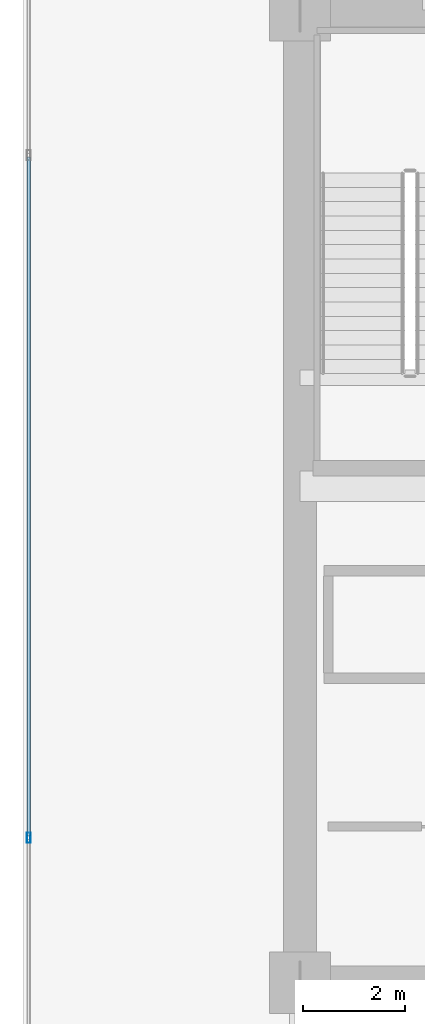
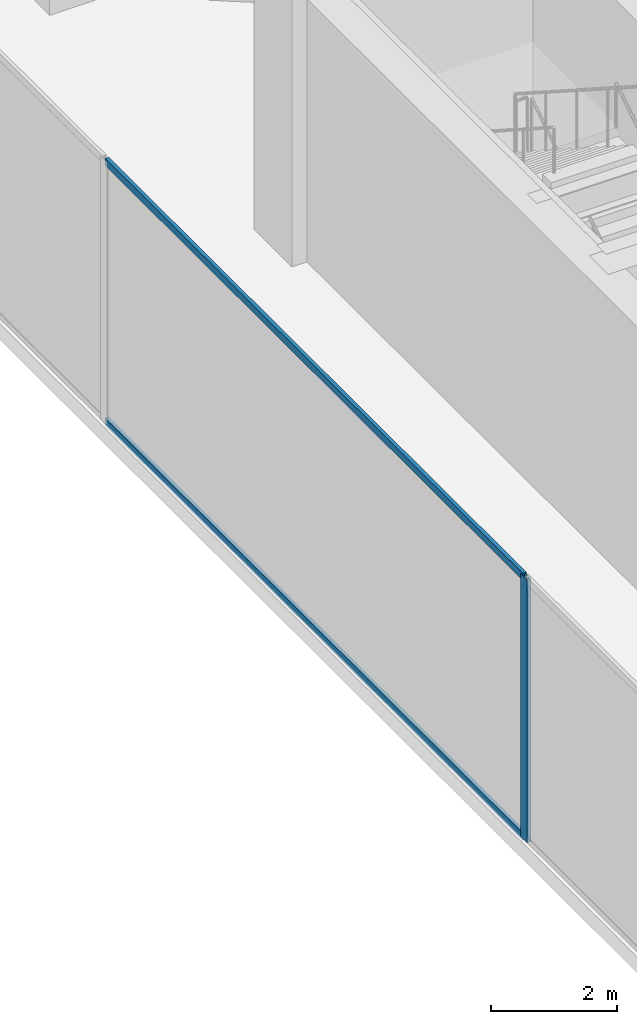
# One storey, part 6 of 34: 3 members, 1 element without a shape of its own.
"""IFC4 building model written with IfcOpenShell, lengths in metres."""

from ifc_helpers import new_model, si_unit, direction, frame, origin, origin_2d, place, context, subcontext, project, spatial, hollow_rectangle, extrude, source, transform, mapped, material, layer, layer_set, material_profile, profile_set, type_object, type_shapes, element, aggregate, save


model = new_model("IFC4")

# Units and contexts
model_context = context("Model", 3, precision=1e-05, world=origin(), true_north=direction((0.0, 1.0)))
body_context = subcontext(model_context, "Body", "Model", "MODEL_VIEW")
ifc_project = project(units=[si_unit("LENGTHUNIT", "METRE"), si_unit("AREAUNIT", "SQUARE_METRE"), si_unit("VOLUMEUNIT", "CUBIC_METRE"), si_unit("PLANEANGLEUNIT", "RADIAN"), si_unit("MASSUNIT", "GRAM", prefix="KILO")], contexts=[model_context])

# Site, building, storey
site_placement = place(None, origin())
site = spatial("IfcSite", under=ifc_project, at=site_placement, CompositionType="ELEMENT")
building_placement = place(site_placement, origin())
building = spatial("IfcBuilding", under=site, at=building_placement, Name="Haelvirn Gate Laboratories", CompositionType="ELEMENT")
storey_placement = place(building_placement, frame((0.0, 0.0, 191.199951171875)))
storey = spatial("IfcBuildingStorey", under=building, at=storey_placement, Name="L46", CompositionType="ELEMENT", Elevation=191.199951171875)

# Curtain wall, members
ifc_material_1 = material(Name="Anodised bronze unitised aluminium & triple low-E glass", Category="aluminium")
ifc_layer = layer(ifc_material_1, 0.179931640625, Name="CW-SYS-3")
ifc_layer_set = layer_set([ifc_layer], Name="Anodised bronze unitised aluminium & triple low-E glass")
curtain_wall_type = type_object("IfcCurtainWallType", Name="CW-SYS-3", PredefinedType="NOTDEFINED", material=ifc_layer_set)
curtain_wall_placement = place(storey_placement, origin())
curtain_wall = element("IfcCurtainWall", 1, at=curtain_wall_placement, inside=storey, type_object=curtain_wall_type, Name="L46 Unitised Curtain Wall CW-L46-P0-E17", PredefinedType="NOTDEFINED")
ifc_material_2 = material(Name="Extruded aluminium 6063-T6 (anodised bronze)", Category="aluminium")
ifc_material_profile_1 = material_profile(ifc_material_2, hollow_rectangle(XDim=0.06494140625, YDim=0.139892578125, WallThickness=0.00390625, at=origin_2d()), Name="CWT-140x65x4")
ifc_profile_set_1 = profile_set([ifc_material_profile_1], Name="Extruded aluminium 6063-T6 (anodised bronze)")
member_type_1 = type_object("IfcMemberType", Name="CWT-T140", PredefinedType="USERDEFINED", material=ifc_profile_set_1)
shared_shape_1 = source(origin(), body_context, "Body", "SweptSolid", [
    extrude(hollow_rectangle(XDim=0.06494140625, YDim=0.139892578125, WallThickness=0.00390625, at=origin_2d()), origin(), (0.0, 0.0, 1.0), 13.25830078125),
])
type_shapes(member_type_1, [shared_shape_1])
member_1_placement = place(storey_placement, frame((2.10009765625, 30.92919921875, 0.032470703125), z_axis=(0.0, -1.0, 0.0), x_axis=(1.0, 0.0, 0.0)))
member_1 = element("IfcMember", 2, at=member_1_placement, type_object=member_type_1, Name="CW3 transom 2.1", ObjectType="TRANSOM", PredefinedType="USERDEFINED", context=body_context, shape_type="MappedRepresentation", body=[
    mapped(shared_shape_1, transform((0.0, 0.0, 0.0), scale=1.0)),
])
member_2_placement = place(storey_placement, frame((2.10009765625, 30.92919921875, 5.067626953125), z_axis=(0.0, -1.0, 0.0), x_axis=(1.0, 0.0, 0.0)))
member_2 = element("IfcMember", 3, at=member_2_placement, type_object=member_type_1, Name="CW3 transom 2.2", ObjectType="TRANSOM", PredefinedType="USERDEFINED", context=body_context, shape_type="MappedRepresentation", body=[
    mapped(shared_shape_1, transform((0.0, 0.0, 0.0), scale=1.0)),
])
ifc_material_profile_2 = material_profile(ifc_material_2, hollow_rectangle(XDim=0.074951171875, YDim=0.199951171875, WallThickness=0.0048828125, at=origin_2d()), Name="CWM-200x75x5")
ifc_profile_set_2 = profile_set([ifc_material_profile_2], Name="Extruded aluminium 6063-T6 (anodised bronze)")
member_type_2 = type_object("IfcMemberType", Name="CWM-T200", PredefinedType="MULLION", material=ifc_profile_set_2)
shared_shape_2 = source(origin(), body_context, "Body", "SweptSolid", [
    extrude(hollow_rectangle(XDim=0.074951171875, YDim=0.199951171875, WallThickness=0.0048828125, at=origin_2d()), origin(), (0.0, 0.0, 1.0), 5.10009765625),
])
type_shapes(member_type_2, [shared_shape_2])
member_3_placement = place(storey_placement, frame((2.10009765625, 17.63330078125, 0.0), z_axis=(0.0, 0.0, 1.0), x_axis=(1.0, 0.0, 0.0)))
member_3 = element("IfcMember", 4, at=member_3_placement, type_object=member_type_2, Name="CW3 mullion 3", PredefinedType="MULLION", context=body_context, shape_type="MappedRepresentation", body=[
    mapped(shared_shape_2, transform((0.0, 0.0, 0.0), scale=1.0)),
])
aggregate(curtain_wall, [member_3, member_1, member_2])

save(model, "model.ifc")
